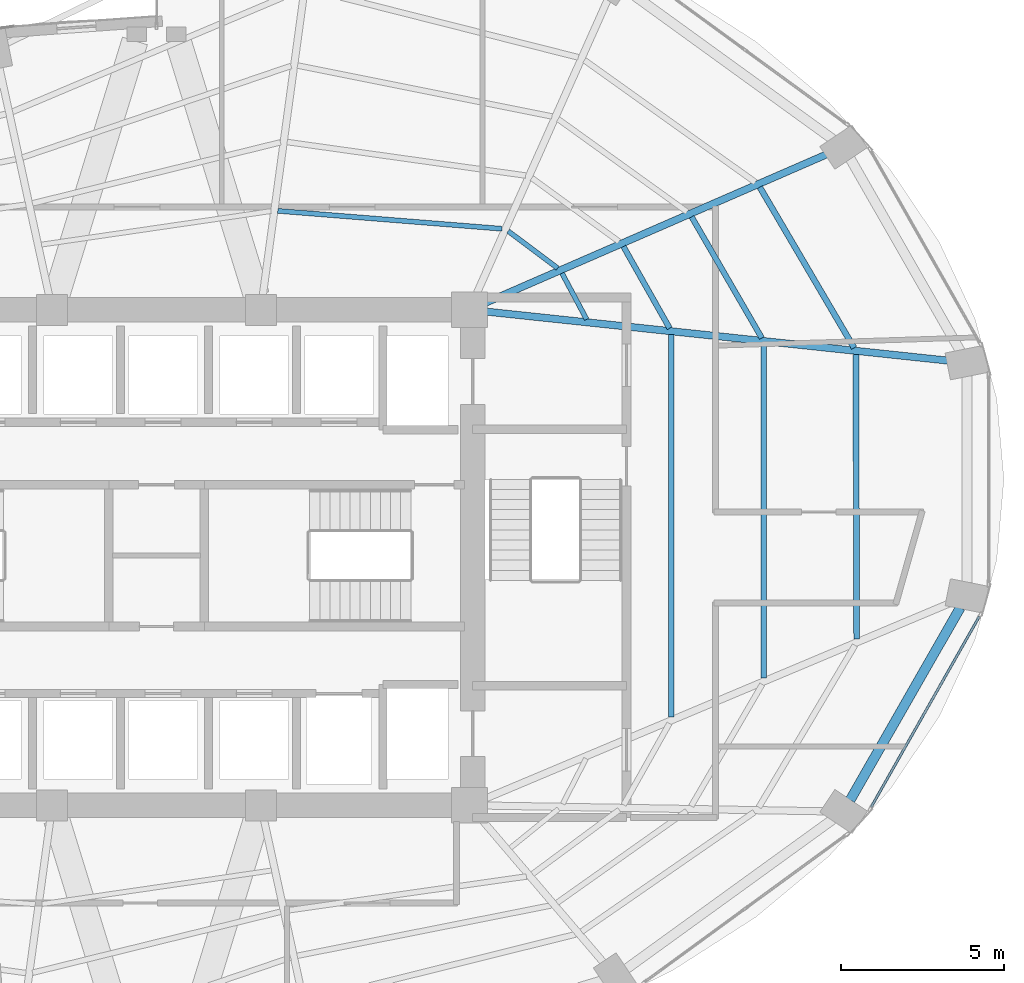
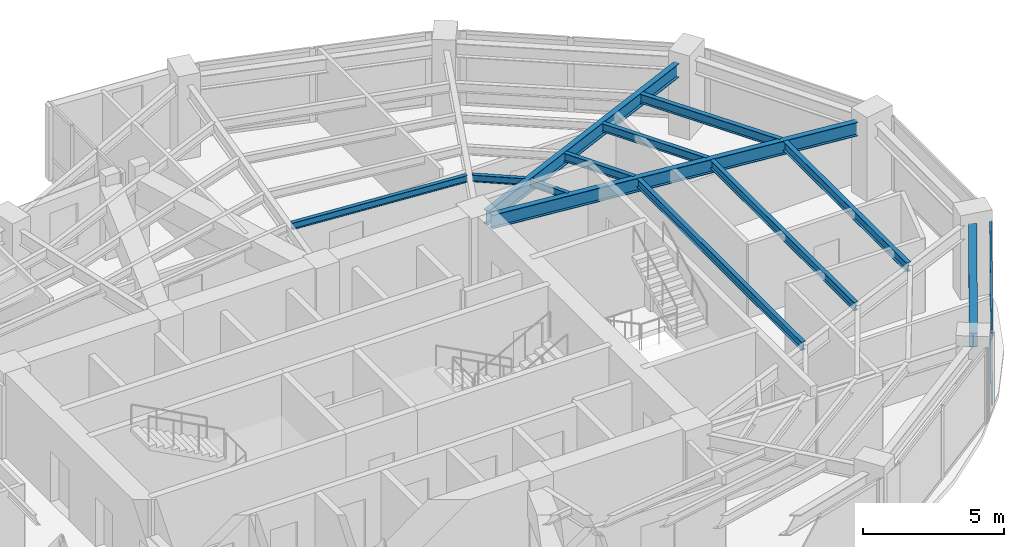
# One storey, part 12 of 24: 12 beams, 2 members, 1 element without a shape of its own.
"""IFC4 building model written with IfcOpenShell, lengths in metres."""

from ifc_helpers import new_model, si_unit, direction, frame, origin, origin_2d, place, context, subcontext, project, spatial, hollow_rectangle, i_section, extrude, material, layer, layer_set, material_profile, profile_set, type_object, element, aggregate, save


model = new_model("IFC4")

# Units and contexts
model_context = context("Model", 3, precision=1e-05, world=origin(), true_north=direction((0.0, 1.0)))
body_context = subcontext(model_context, "Body", "Model", "MODEL_VIEW")
ifc_project = project(units=[si_unit("LENGTHUNIT", "METRE"), si_unit("AREAUNIT", "SQUARE_METRE"), si_unit("VOLUMEUNIT", "CUBIC_METRE"), si_unit("PLANEANGLEUNIT", "RADIAN"), si_unit("MASSUNIT", "GRAM", prefix="KILO")], contexts=[model_context])

# Site, building, storey
site_placement = place(None, origin())
site = spatial("IfcSite", under=ifc_project, at=site_placement, CompositionType="ELEMENT")
building_placement = place(site_placement, origin())
building = spatial("IfcBuilding", under=site, at=building_placement, Name="Lazwardi Medical Tower", CompositionType="ELEMENT")
storey_placement = place(building_placement, frame((0.0, 0.0, 129.16796875)))
storey = spatial("IfcBuildingStorey", under=building, at=storey_placement, Name="L33", CompositionType="ELEMENT", Elevation=129.16796875)

# Beams
ifc_material_1 = material(Name="Steel S355", Category="steel")
ifc_material_profile_1 = material_profile(ifc_material_1, i_section(OverallWidth=0.300048828125, OverallDepth=0.60009765625, WebThickness=0.015380859375, FlangeThickness=0.030029296875, at=origin_2d()), Name="HEB 600")
ifc_profile_set_1 = profile_set([ifc_material_profile_1], Name="Steel S355")
beam_type_1 = type_object("IfcBeamType", Name="BM-RB-Z2", PredefinedType="BEAM", material=ifc_profile_set_1)
beam_1_placement = place(storey_placement, frame((57.281494140625, 20.561279296875, 2.89794921875), z_axis=(0.496653025517, 0.867949176072, 0.0), x_axis=(-0.867949176072, 0.496653025517, 0.0)))
element("IfcBeam", 1, at=beam_1_placement, inside=storey, type_object=beam_type_1, Name="Ring beam RB-03 B03 L33", PredefinedType="BEAM", context=body_context, shape_type="SweptSolid", body=[
    extrude(i_section(OverallWidth=0.300048828125, OverallDepth=0.60009765625, WebThickness=0.015380859375, FlangeThickness=0.030029296875, at=origin_2d()), origin(), (0.0, 0.0, 1.0), 6.80078125),
])
ifc_material_profile_2 = material_profile(ifc_material_1, i_section(OverallWidth=0.219970703125, OverallDepth=0.60009765625, WebThickness=0.011962890625, FlangeThickness=0.01904296875, at=origin_2d()), Name="IPE 600")
ifc_profile_set_2 = profile_set([ifc_material_profile_2], Name="Steel S355")
beam_type_2 = type_object("IfcBeamType", Name="BM-RG-W1", PredefinedType="BEAM", material=ifc_profile_set_2)
beam_2_placement = place(storey_placement, frame((60.2861328125, 34.041015625, 2.89794921875), z_axis=(-0.994413340753, 0.10555618282, 0.0), x_axis=(-0.10555618282, -0.994413340753, 0.0)))
element("IfcBeam", 2, at=beam_2_placement, inside=storey, type_object=beam_type_2, Name="Radial girder RG-02 R05 L33", PredefinedType="BEAM", context=body_context, shape_type="SweptSolid", body=[
    extrude(i_section(OverallWidth=0.219970703125, OverallDepth=0.60009765625, WebThickness=0.011962890625, FlangeThickness=0.01904296875, at=origin_2d()), origin(), (0.0, 0.0, 1.0), 14.233642578125),
])
beam_3_placement = place(storey_placement, frame((56.5458984375, 40.36328125, 2.89794921875), z_axis=(-0.916941336121, -0.399022037127, 0.0), x_axis=(0.399022037127, -0.916941336121, 0.0)))
element("IfcBeam", 3, at=beam_3_placement, inside=storey, type_object=beam_type_2, Name="Radial girder RG-02 R06 L33", PredefinedType="BEAM", context=body_context, shape_type="SweptSolid", body=[
    extrude(i_section(OverallWidth=0.219970703125, OverallDepth=0.60009765625, WebThickness=0.011962890625, FlangeThickness=0.01904296875, at=origin_2d()), origin(), (0.0, 0.0, 1.0), 11.40234375),
])
ifc_material_profile_3 = material_profile(ifc_material_1, i_section(OverallWidth=0.179931640625, OverallDepth=0.39990234375, WebThickness=0.008544921875, FlangeThickness=0.013427734375, at=origin_2d()), Name="IPE 400")
ifc_profile_set_3 = profile_set([ifc_material_profile_3], Name="Steel S355")
beam_type_3 = type_object("IfcBeamType", Name="BM-SJ-01", PredefinedType="JOIST", material=ifc_profile_set_3)
beam_4_placement = place(storey_placement, frame((57.48095703125, 25.502685546875, 2.998046875), z_axis=(-0.002907126978, 0.999995774297, 0.0), x_axis=(-0.999995774297, -0.002907126978, 0.0)))
element("IfcBeam", 4, at=beam_4_placement, inside=storey, type_object=beam_type_3, Name="Secondary joist SJ-01 R1 B04 L33", PredefinedType="JOIST", context=body_context, shape_type="SweptSolid", body=[
    extrude(i_section(OverallWidth=0.179931640625, OverallDepth=0.39990234375, WebThickness=0.008544921875, FlangeThickness=0.013427734375, at=origin_2d()), origin(), (0.0, 0.0, 1.0), 8.73388671875),
])
beam_5_placement = place(storey_placement, frame((57.402099609375, 34.43212890625, 2.998046875), z_axis=(-0.506195045201, 0.862419025888, 0.0), x_axis=(-0.862419025888, -0.506195045201, 0.0)))
element("IfcBeam", 5, at=beam_5_placement, inside=storey, type_object=beam_type_3, Name="Secondary joist SJ-01 R1 B05 L33", PredefinedType="JOIST", context=body_context, shape_type="SweptSolid", body=[
    extrude(i_section(OverallWidth=0.179931640625, OverallDepth=0.39990234375, WebThickness=0.008544921875, FlangeThickness=0.013427734375, at=origin_2d()), origin(), (0.0, 0.0, 1.0), 5.71728515625),
])
ifc_material_profile_4 = material_profile(ifc_material_1, i_section(OverallWidth=0.169921875, OverallDepth=0.360107421875, WebThickness=0.008056640625, FlangeThickness=0.0126953125, at=origin_2d()), Name="IPE 360")
ifc_profile_set_4 = profile_set([ifc_material_profile_4], Name="Steel S355")
beam_type_4 = type_object("IfcBeamType", Name="BM-SJ-02", PredefinedType="JOIST", material=ifc_profile_set_4)
beam_6_placement = place(storey_placement, frame((54.634033203125, 24.30517578125, 3.01806640625), z_axis=(-0.000930565095, 0.999999567024, 0.0), x_axis=(-0.999999567024, -0.000930565095, 0.0)))
element("IfcBeam", 6, at=beam_6_placement, inside=storey, type_object=beam_type_4, Name="Secondary joist SJ-02 R2 B04 L33", PredefinedType="JOIST", context=body_context, shape_type="SweptSolid", body=[
    extrude(i_section(OverallWidth=0.169921875, OverallDepth=0.360107421875, WebThickness=0.008056640625, FlangeThickness=0.0126953125, at=origin_2d()), origin(), (0.0, 0.0, 1.0), 10.23193359375),
])
beam_7_placement = place(storey_placement, frame((54.57177734375, 34.73291015625, 3.01806640625), z_axis=(-0.501365325212, 0.865235696602, 0.0), x_axis=(-0.865235696602, -0.501365325212, 0.0)))
element("IfcBeam", 7, at=beam_7_placement, inside=storey, type_object=beam_type_4, Name="Secondary joist SJ-02 R2 B05 L33", PredefinedType="JOIST", context=body_context, shape_type="SweptSolid", body=[
    extrude(i_section(OverallWidth=0.169921875, OverallDepth=0.360107421875, WebThickness=0.008056640625, FlangeThickness=0.0126953125, at=origin_2d()), origin(), (0.0, 0.0, 1.0), 4.298828125),
])
beam_8_placement = place(storey_placement, frame((51.787109375, 23.107421875, 3.01806640625), z_axis=(0.000561961365, 0.9999998421, 0.0), x_axis=(-0.9999998421, 0.000561961365, 0.0)))
element("IfcBeam", 8, at=beam_8_placement, inside=storey, type_object=beam_type_4, Name="Secondary joist SJ-02 R3 B04 L33", PredefinedType="JOIST", context=body_context, shape_type="SweptSolid", body=[
    extrude(i_section(OverallWidth=0.169921875, OverallDepth=0.360107421875, WebThickness=0.008056640625, FlangeThickness=0.0126953125, at=origin_2d()), origin(), (0.0, 0.0, 1.0), 11.72998046875),
])
beam_9_placement = place(storey_placement, frame((51.741943359375, 35.033935546875, 3.01806640625), z_axis=(-0.492026539517, 0.870580199873, 0.0), x_axis=(-0.870580199873, -0.492026539517, 0.0)))
element("IfcBeam", 9, at=beam_9_placement, inside=storey, type_object=beam_type_4, Name="Secondary joist SJ-02 R3 B05 L33", PredefinedType="JOIST", context=body_context, shape_type="SweptSolid", body=[
    extrude(i_section(OverallWidth=0.169921875, OverallDepth=0.360107421875, WebThickness=0.008056640625, FlangeThickness=0.0126953125, at=origin_2d()), origin(), (0.0, 0.0, 1.0), 2.880859375),
])
ifc_material_profile_5 = material_profile(ifc_material_1, i_section(OverallWidth=0.14990234375, OverallDepth=0.300048828125, WebThickness=0.007080078125, FlangeThickness=0.0107421875, at=origin_2d()), Name="IPE 300")
ifc_profile_set_5 = profile_set([ifc_material_profile_5], Name="Steel S355")
beam_type_5 = type_object("IfcBeamType", Name="BM-SJ-03", PredefinedType="JOIST", material=ifc_profile_set_5)
beam_10_placement = place(storey_placement, frame((49.1962890625, 35.3056640625, 3.048095703125), z_axis=(-0.471022344925, 0.882121278839, 0.0), x_axis=(-0.882121278839, -0.471022344925, 0.0)))
element("IfcBeam", 10, at=beam_10_placement, inside=storey, type_object=beam_type_5, Name="Secondary joist SJ-03 R4 B05 L33", PredefinedType="JOIST", context=body_context, shape_type="SweptSolid", body=[
    extrude(i_section(OverallWidth=0.14990234375, OverallDepth=0.300048828125, WebThickness=0.007080078125, FlangeThickness=0.0107421875, at=origin_2d()), origin(), (0.0, 0.0, 1.0), 1.605224609375),
])
beam_11_placement = place(storey_placement, frame((48.306640625, 36.87744140625, 3.048095703125), z_axis=(-0.800447687995, 0.599402618265, 0.0), x_axis=(-0.599402618265, -0.800447687995, 0.0)))
element("IfcBeam", 11, at=beam_11_placement, inside=storey, type_object=beam_type_5, Name="Secondary joist SJ-03 R4 B06 L33", PredefinedType="JOIST", context=body_context, shape_type="SweptSolid", body=[
    extrude(i_section(OverallWidth=0.14990234375, OverallDepth=0.300048828125, WebThickness=0.007080078125, FlangeThickness=0.0107421875, at=origin_2d()), origin(), (0.0, 0.0, 1.0), 1.896728515625),
])
beam_12_placement = place(storey_placement, frame((46.599609375, 38.085693359375, 3.048095703125), z_axis=(-0.996816178299, 0.079733974445, 0.0), x_axis=(-0.079733974445, -0.996816178299, 0.0)))
element("IfcBeam", 12, at=beam_12_placement, inside=storey, type_object=beam_type_5, Name="Secondary joist SJ-03 R4 B07 L33", PredefinedType="JOIST", context=body_context, shape_type="SweptSolid", body=[
    extrude(i_section(OverallWidth=0.14990234375, OverallDepth=0.300048828125, WebThickness=0.007080078125, FlangeThickness=0.0107421875, at=origin_2d()), origin(), (0.0, 0.0, 1.0), 6.901611328125),
])

# Curtain wall, members
ifc_material_2 = material(Name="Anodised bronze aluminium and solar control glazing", Category="aluminium")
ifc_layer = layer(ifc_material_2, 0.195068359375)
ifc_layer_set = layer_set([ifc_layer], Name="Anodised bronze aluminium and solar control glazing")
curtain_wall_type = type_object("IfcCurtainWallType", Name="CW-SYS-03", PredefinedType="NOTDEFINED", material=ifc_layer_set)
curtain_wall_placement = place(storey_placement, origin())
curtain_wall = element("IfcCurtainWall", 13, at=curtain_wall_placement, inside=storey, type_object=curtain_wall_type, Name="L33 Unitised bronze curtain wall CW-03", PredefinedType="NOTDEFINED")
ifc_material_3 = material(Name="Anodised bronze aluminium", Category="aluminium")
ifc_material_profile_6 = material_profile(ifc_material_3, hollow_rectangle(XDim=0.074951171875, YDim=0.159912109375, WallThickness=0.00390625, at=origin_2d()), Name="ALU-TRANSOM 160x75x4")
ifc_profile_set_6 = profile_set([ifc_material_profile_6], Name="Anodised bronze aluminium")
member_type = type_object("IfcMemberType", Name="CW-TRN-01", PredefinedType="USERDEFINED", material=ifc_profile_set_6)
member_1_placement = place(storey_placement, frame((57.925537109375, 20.3466796875, 0.03759765625), z_axis=(0.493614427365, 0.869680859337, 0.0), x_axis=(-0.869680859337, 0.493614427365, 0.0)))
member_1 = element("IfcMember", 14, at=member_1_placement, type_object=member_type, Name="CW-03 transom 1.1", ObjectType="TRANSOM", PredefinedType="USERDEFINED", context=body_context, shape_type="SweptSolid", body=[
    extrude(hollow_rectangle(XDim=0.074951171875, YDim=0.159912109375, WallThickness=0.00390625, at=origin_2d()), origin(), (0.0, 0.0, 1.0), 6.72314453125),
])
member_2_placement = place(storey_placement, frame((57.925537109375, 20.3466796875, 3.16064453125), z_axis=(0.493614427365, 0.869680859337, 0.0), x_axis=(-0.869680859337, 0.493614427365, 0.0)))
member_2 = element("IfcMember", 15, at=member_2_placement, type_object=member_type, Name="CW-03 transom 1.2", ObjectType="TRANSOM", PredefinedType="USERDEFINED", context=body_context, shape_type="SweptSolid", body=[
    extrude(hollow_rectangle(XDim=0.074951171875, YDim=0.159912109375, WallThickness=0.00390625, at=origin_2d()), origin(), (0.0, 0.0, 1.0), 6.72314453125),
])
aggregate(curtain_wall, [member_1, member_2])

save(model, "model.ifc")
